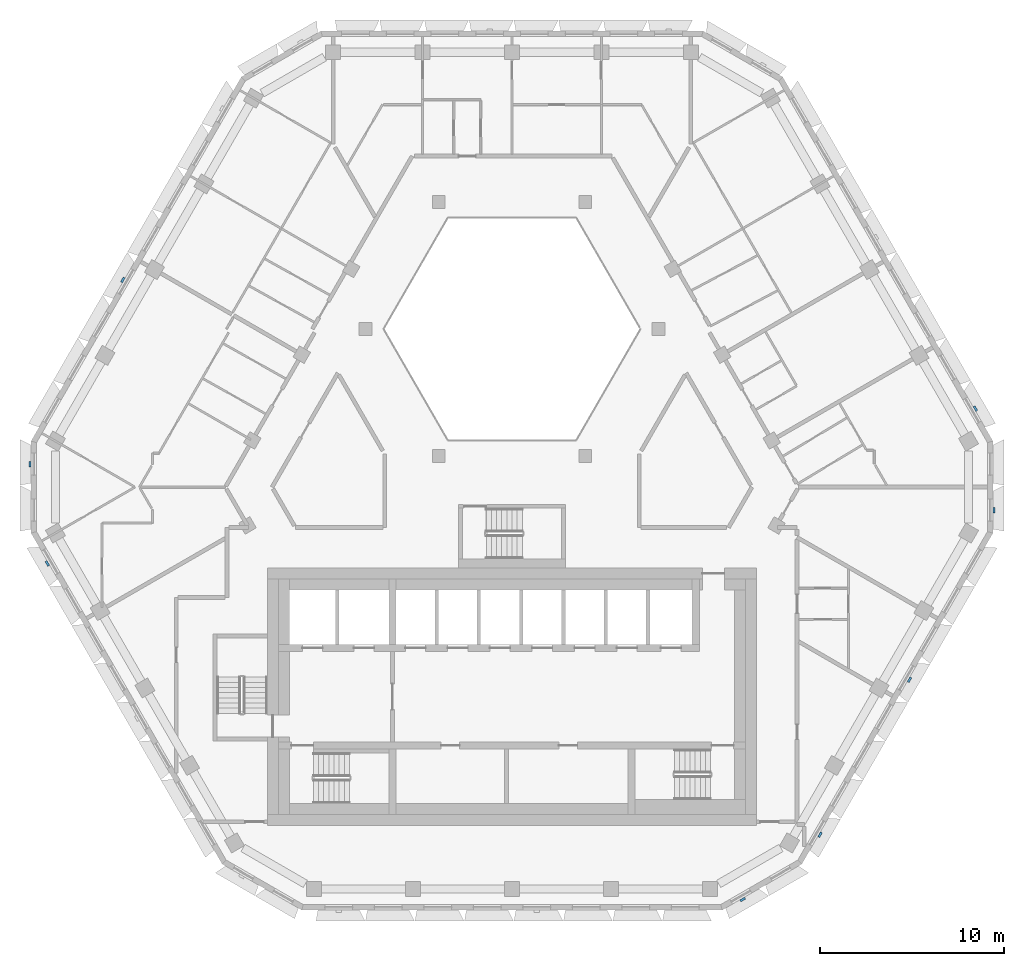
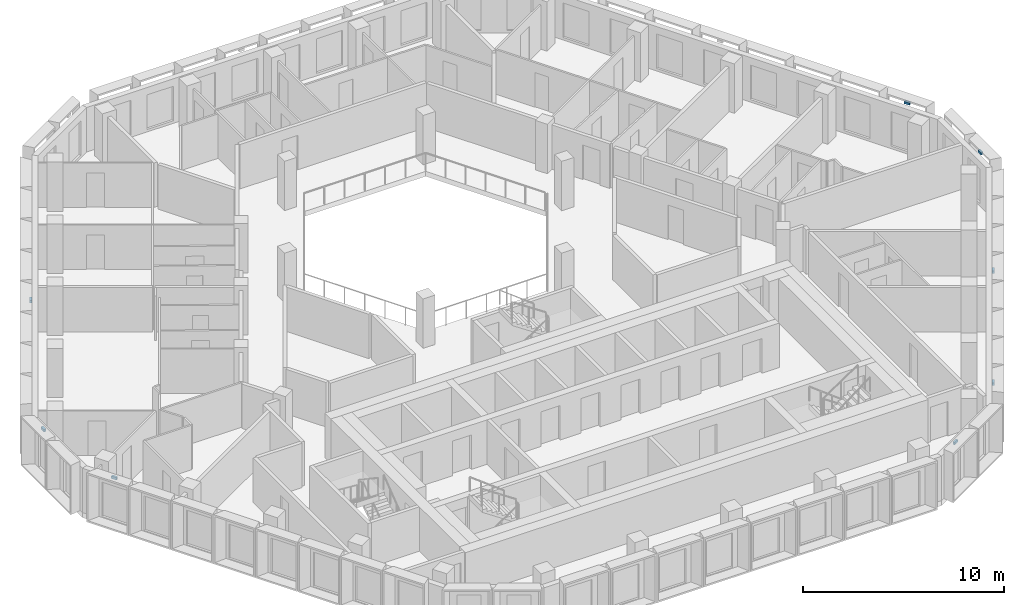
# One storey, part 10 of 18: 8 discrete accessories.
"""IFC4 building model written with IfcOpenShell, lengths in metres."""

from ifc_helpers import new_model, si_unit, direction, frame, origin, place, context, subcontext, project, spatial, polyline, outline, extrude, source, transform, mapped, material, type_object, type_shapes, element, save


model = new_model("IFC4")

# Units and contexts
model_context = context("Model", 3, precision=1e-05, world=origin(), true_north=direction((0.0, 1.0)))
body_context = subcontext(model_context, "Body", "Model", "MODEL_VIEW")
ifc_project = project(units=[si_unit("LENGTHUNIT", "METRE"), si_unit("AREAUNIT", "SQUARE_METRE"), si_unit("VOLUMEUNIT", "CUBIC_METRE"), si_unit("PLANEANGLEUNIT", "RADIAN"), si_unit("MASSUNIT", "GRAM", prefix="KILO")], contexts=[model_context])

# Site, building, storey
site_placement = place(None, origin())
site = spatial("IfcSite", under=ifc_project, at=site_placement, CompositionType="ELEMENT")
building_placement = place(site_placement, origin())
building = spatial("IfcBuilding", under=site, at=building_placement, Name="Beryl Residences", CompositionType="ELEMENT")
storey_placement = place(building_placement, frame((0.0, 0.0, 184.199951171875)))
storey = spatial("IfcBuildingStorey", under=building, at=storey_placement, Name="L56", CompositionType="ELEMENT", Elevation=184.199951171875)

# Discrete accessories
ifc_material = material(Name="Steel S355", Category="steel")
discrete_accessory_type = type_object("IfcDiscreteAccessoryType", Name="BR1 frame bracket 300 x 120 x 150 mm", PredefinedType="BRACKET", material=ifc_material)
shared_shape = source(origin(), body_context, "Body", "SweptSolid", [
    extrude(outline(polyline([(-0.14990234375, 0.0), (0.14990234375, 0.0), (0.14990234375, 0.1201171875), (-0.14990234375, 0.1201171875), (-0.14990234375, 0.0)])), origin(), (0.0, 0.0, 1.0), 0.14990234375),
])
type_shapes(discrete_accessory_type, [shared_shape])
for number, where, z_axis, x_axis, name in (
    (1, (-21.111083984375, 10.634033203125, 2.75), (0.0, 0.0, 1.0), (0.5, 0.866025403784, 0.0), "BR1 bracket L56 NW 5"),
    (2, (-26.154052734375, 0.64990234375, 2.75), (0.0, 0.0, 1.0), (0.0, 1.0, 0.0), "BR1 bracket L56 NW-SW 1"),
    (3, (-25.212890625, -4.72802734375, 2.75), (0.0, 0.0, 1.0), (-0.5, 0.866025403784, 0.0), "BR1 bracket L56 SW 1"),
    (4, (12.513916015625, -22.97509765625, 2.75), (0.0, 0.0, 1.0), (-0.866025403784, -0.5, 0.0), "BR1 bracket L56 S-SE 1"),
    (5, (16.700927734375, -19.471923828125, 2.75), (0.0, 0.0, 1.0), (-0.5, -0.866025403784, 0.0), "BR1 bracket L56 SE 1"),
    (6, (21.56396484375, -11.048095703125, 2.75), (0.0, 0.0, 1.0), (-0.5, -0.866025403784, 0.0), "BR1 bracket L56 SE 5"),
    (7, (26.154052734375, -1.85009765625, 2.75), (0.0, 0.0, 1.0), (0.0, -1.0, 0.0), "BR1 bracket L56 SE-NE 1"),
    (8, (25.14892578125, 3.639892578125, 2.75), (0.0, 0.0, 1.0), (0.5, -0.866025403784, 0.0), "BR1 bracket L56 NE 1"),
):
    element("IfcDiscreteAccessory", number, at=place(storey_placement, frame(where, z_axis=z_axis, x_axis=x_axis)), inside=storey, type_object=discrete_accessory_type, Name=name, PredefinedType="BRACKET", context=body_context, shape_type="MappedRepresentation", body=[
        mapped(shared_shape, transform((0.0, 0.0, 0.0))),
    ])

save(model, "model.ifc")
